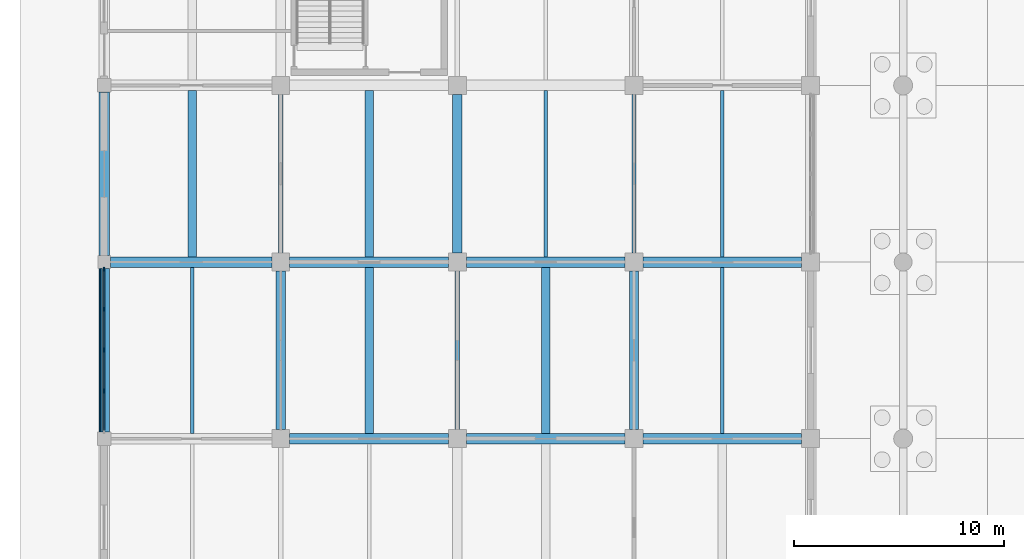
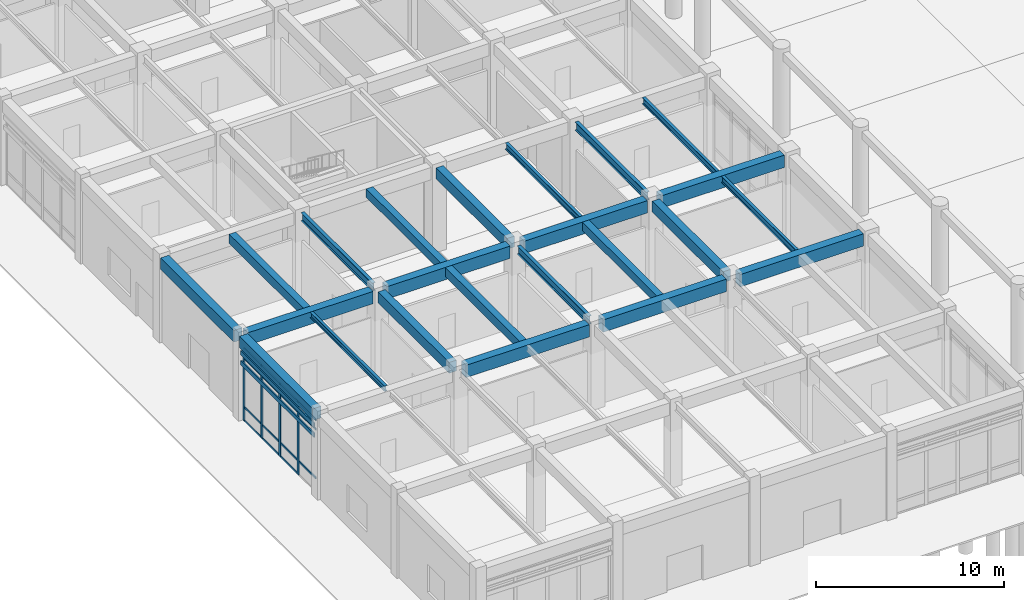
# One storey, part 5 of 91: 23 beams, 21 members, 1 element without a shape of its own.
"""IFC4 building model written with IfcOpenShell, lengths in metres."""

from ifc_helpers import new_model, si_unit, direction, frame, origin, origin_2d, place, context, subcontext, project, spatial, rectangle, i_section, extrude, material, layer, layer_set, material_profile, profile_set, type_object, element, aggregate, save


model = new_model("IFC4")

# Units and contexts
model_context = context("Model", 3, precision=1e-05, world=origin(), true_north=direction((0.0, 1.0)))
body_context = subcontext(model_context, "Body", "Model", "MODEL_VIEW")
ifc_project = project(units=[si_unit("LENGTHUNIT", "METRE"), si_unit("AREAUNIT", "SQUARE_METRE"), si_unit("VOLUMEUNIT", "CUBIC_METRE"), si_unit("PLANEANGLEUNIT", "RADIAN"), si_unit("MASSUNIT", "GRAM", prefix="KILO")], contexts=[model_context])

# Site, building, storey
site_placement = place(None, origin())
site = spatial("IfcSite", under=ifc_project, at=site_placement, CompositionType="ELEMENT")
building_placement = place(site_placement, origin())
building = spatial("IfcBuilding", under=site, at=building_placement, Name="Porcellanite Civic Hall", CompositionType="ELEMENT")
storey_placement = place(building_placement, origin())
storey = spatial("IfcBuildingStorey", under=building, at=storey_placement, Name="L00", CompositionType="ELEMENT", Elevation=0.0)

# Beams
ifc_material_1 = material(Name="Concrete N50 (50 MPa)", Category="concrete")
ifc_material_profile_1 = material_profile(ifc_material_1, rectangle(XDim=0.39990234375, YDim=0.550048828125, at=origin_2d()), Name="RC-400x550")
ifc_profile_set_1 = profile_set([ifc_material_profile_1], Name="Concrete N50 (50 MPa)")
beam_type_1 = type_object("IfcBeamType", Name="BM-RC550", PredefinedType="JOIST", material=ifc_profile_set_1)
beam_1_placement = place(storey_placement, frame((12.60009765625, 25.449462890625, 5.22509765625), z_axis=(0.0, 1.0, 0.0), x_axis=(-1.0, 0.0, 0.0)))
element("IfcBeam", 1, at=beam_1_placement, inside=storey, type_object=beam_type_1, Name="Secondary joist L00 2-4", PredefinedType="JOIST", context=body_context, shape_type="SweptSolid", body=[
    extrude(rectangle(XDim=0.39990234375, YDim=0.550048828125, at=origin_2d()), origin(), (0.0, 0.0, 1.0), 7.901123046875),
])
beam_2_placement = place(storey_placement, frame((21.0, 17.049560546875, 5.22509765625), z_axis=(0.0, 1.0, 0.0), x_axis=(-1.0, 0.0, 0.0)))
element("IfcBeam", 2, at=beam_2_placement, inside=storey, type_object=beam_type_1, Name="Secondary joist L00 3-3", PredefinedType="JOIST", context=body_context, shape_type="SweptSolid", body=[
    extrude(rectangle(XDim=0.39990234375, YDim=0.550048828125, at=origin_2d()), origin(), (0.0, 0.0, 1.0), 7.90087890625),
])
ifc_material_2 = material(Name="Concrete N50 (50 MPa)", Category="concrete")
ifc_material_profile_2 = material_profile(ifc_material_2, rectangle(XDim=0.39990234375, YDim=0.60009765625, at=origin_2d()), Name="RC-400x600")
ifc_profile_set_2 = profile_set([ifc_material_profile_2], Name="Concrete N50 (50 MPa)")
beam_type_2 = type_object("IfcBeamType", Name="BM-RC600", PredefinedType="JOIST", material=ifc_profile_set_2)
beam_3_placement = place(storey_placement, frame((4.199951171875, 25.449462890625, 5.199951171875), z_axis=(0.0, 1.0, 0.0), x_axis=(-1.0, 0.0, 0.0)))
element("IfcBeam", 3, at=beam_3_placement, inside=storey, type_object=beam_type_2, Name="Secondary joist L00 1-4", PredefinedType="JOIST", context=body_context, shape_type="SweptSolid", body=[
    extrude(rectangle(XDim=0.39990234375, YDim=0.60009765625, at=origin_2d()), origin(), (0.0, 0.0, 1.0), 7.901123046875),
])
beam_4_placement = place(storey_placement, frame((12.60009765625, 17.049560546875, 5.199951171875), z_axis=(0.0, 1.0, 0.0), x_axis=(-1.0, 0.0, 0.0)))
element("IfcBeam", 4, at=beam_4_placement, inside=storey, type_object=beam_type_2, Name="Secondary joist L00 2-3", PredefinedType="JOIST", context=body_context, shape_type="SweptSolid", body=[
    extrude(rectangle(XDim=0.39990234375, YDim=0.60009765625, at=origin_2d()), origin(), (0.0, 0.0, 1.0), 7.90087890625),
])
ifc_material_3 = material(Name="Concrete N50 (50 MPa)", Category="concrete")
ifc_material_profile_3 = material_profile(ifc_material_3, rectangle(XDim=0.449951171875, YDim=0.699951171875, at=origin_2d()), Name="RC-450x700")
ifc_profile_set_3 = profile_set([ifc_material_profile_3], Name="Concrete N50 (50 MPa)")
beam_type_3 = type_object("IfcBeamType", Name="BM-RC700", PredefinedType="BEAM", material=ifc_profile_set_3)
beam_5_placement = place(storey_placement, frame((8.39990234375, 17.224609375, 5.14990234375), z_axis=(0.0, 1.0, 0.0), x_axis=(-1.0, 0.0, 0.0)))
element("IfcBeam", 5, at=beam_5_placement, inside=storey, type_object=beam_type_3, Name="Beam Y L00 2-3", PredefinedType="BEAM", context=body_context, shape_type="SweptSolid", body=[
    extrude(rectangle(XDim=0.449951171875, YDim=0.699951171875, at=origin_2d()), origin(), (0.0, 0.0, 1.0), 7.55078125),
])
beam_6_placement = place(storey_placement, frame((16.800048828125, 25.62451171875, 5.14990234375), z_axis=(0.0, 1.0, 0.0), x_axis=(-1.0, 0.0, 0.0)))
element("IfcBeam", 6, at=beam_6_placement, inside=storey, type_object=beam_type_3, Name="Beam Y L00 3-4", PredefinedType="BEAM", context=body_context, shape_type="SweptSolid", body=[
    extrude(rectangle(XDim=0.449951171875, YDim=0.699951171875, at=origin_2d()), origin(), (0.0, 0.0, 1.0), 7.551025390625),
])
beam_7_placement = place(storey_placement, frame((25.199951171875, 17.224609375, 5.14990234375), z_axis=(0.0, 1.0, 0.0), x_axis=(-1.0, 0.0, 0.0)))
element("IfcBeam", 7, at=beam_7_placement, inside=storey, type_object=beam_type_3, Name="Beam Y L00 4-3", PredefinedType="BEAM", context=body_context, shape_type="SweptSolid", body=[
    extrude(rectangle(XDim=0.449951171875, YDim=0.699951171875, at=origin_2d()), origin(), (0.0, 0.0, 1.0), 7.55078125),
])
ifc_material_4 = material(Name="Concrete N50 (50 MPa)", Category="concrete")
ifc_material_profile_4 = material_profile(ifc_material_4, rectangle(XDim=0.5, YDim=0.75, at=origin_2d()), Name="RC-500x750")
ifc_profile_set_4 = profile_set([ifc_material_profile_4], Name="Concrete N50 (50 MPa)")
beam_type_4 = type_object("IfcBeamType", Name="BM-RC750", PredefinedType="SPANDREL", material=ifc_profile_set_4)
for number, where, z_axis, x_axis, name in (
    (8, (0.0, 17.12451171875, 5.125), (0.0, 1.0, 0.0), (-1.0, 0.0, 0.0), "Beam Y L00 1-3"),
    (9, (0.0, 25.49951171875, 5.125), (0.0, 1.0, 0.0), (-1.0, 0.0, 0.0), "Beam Y L00 1-4"),
):
    element("IfcBeam", number, at=place(storey_placement, frame(where, z_axis=z_axis, x_axis=x_axis)), inside=storey, type_object=beam_type_4, Name=name, PredefinedType="SPANDREL", context=body_context, shape_type="SweptSolid", body=[
        extrude(rectangle(XDim=0.5, YDim=0.75, at=origin_2d()), origin(), (0.0, 0.0, 1.0), 7.77587890625),
    ])
ifc_material_5 = material(Name="Concrete N50 (50 MPa)", Category="concrete")
ifc_material_profile_5 = material_profile(ifc_material_5, rectangle(XDim=0.5, YDim=0.800048828125, at=origin_2d()), Name="RC-500x800")
ifc_profile_set_5 = profile_set([ifc_material_profile_5], Name="Concrete N50 (50 MPa)")
beam_type_5 = type_object("IfcBeamType", Name="BM-RC800", PredefinedType="BEAM", material=ifc_profile_set_5)
beam_8_placement = place(storey_placement, frame((0.299560546875, 25.199951171875, 5.10009765625), z_axis=(1.0, 0.0, 0.0), x_axis=(0.0, 1.0, 0.0)))
element("IfcBeam", 10, at=beam_8_placement, inside=storey, type_object=beam_type_5, Name="Beam X L00 1-4", PredefinedType="BEAM", context=body_context, shape_type="SweptSolid", body=[
    extrude(rectangle(XDim=0.5, YDim=0.800048828125, at=origin_2d()), origin(), (0.0, 0.0, 1.0), 7.676025390625),
])
for number, where, z_axis, x_axis, name in (
    (11, (8.824462890625, 16.800048828125, 5.10009765625), (1.0, 0.0, 0.0), (0.0, 1.0, 0.0), "Beam X L00 2-3"),
    (12, (8.824462890625, 25.199951171875, 5.10009765625), (1.0, 0.0, 0.0), (0.0, 1.0, 0.0), "Beam X L00 2-4"),
):
    element("IfcBeam", number, at=place(storey_placement, frame(where, z_axis=z_axis, x_axis=x_axis)), inside=storey, type_object=beam_type_5, Name=name, PredefinedType="BEAM", context=body_context, shape_type="SweptSolid", body=[
        extrude(rectangle(XDim=0.5, YDim=0.800048828125, at=origin_2d()), origin(), (0.0, 0.0, 1.0), 7.551025390625),
    ])
for number, where, z_axis, x_axis, name in (
    (13, (17.224609375, 16.800048828125, 5.10009765625), (1.0, 0.0, 0.0), (0.0, 1.0, 0.0), "Beam X L00 3-3"),
    (14, (17.224609375, 25.199951171875, 5.10009765625), (1.0, 0.0, 0.0), (0.0, 1.0, 0.0), "Beam X L00 3-4"),
):
    element("IfcBeam", number, at=place(storey_placement, frame(where, z_axis=z_axis, x_axis=x_axis)), inside=storey, type_object=beam_type_5, Name=name, PredefinedType="BEAM", context=body_context, shape_type="SweptSolid", body=[
        extrude(rectangle(XDim=0.5, YDim=0.800048828125, at=origin_2d()), origin(), (0.0, 0.0, 1.0), 7.55078125),
    ])
for number, where, z_axis, x_axis, name in (
    (15, (25.62451171875, 16.800048828125, 5.10009765625), (1.0, 0.0, 0.0), (0.0, 1.0, 0.0), "Beam X L00 4-3"),
    (16, (25.62451171875, 25.199951171875, 5.10009765625), (1.0, 0.0, 0.0), (0.0, 1.0, 0.0), "Beam X L00 4-4"),
):
    element("IfcBeam", number, at=place(storey_placement, frame(where, z_axis=z_axis, x_axis=x_axis)), inside=storey, type_object=beam_type_5, Name=name, PredefinedType="BEAM", context=body_context, shape_type="SweptSolid", body=[
        extrude(rectangle(XDim=0.5, YDim=0.800048828125, at=origin_2d()), origin(), (0.0, 0.0, 1.0), 7.551025390625),
    ])

# Curtain wall, members
ifc_material_6 = material(Name="Anodised aluminium and solar laminated glass", Category="aluminium")
ifc_layer = layer(ifc_material_6, 0.179931640625)
ifc_layer_set = layer_set([ifc_layer], Name="Anodised aluminium and solar laminated glass")
curtain_wall_type = type_object("IfcCurtainWallType", Name="CW-SYS05", PredefinedType="NOTDEFINED", material=ifc_layer_set)
curtain_wall_placement = place(storey_placement, origin())
curtain_wall = element("IfcCurtainWall", 17, at=curtain_wall_placement, inside=storey, type_object=curtain_wall_type, Name="Curtain wall CW-002", PredefinedType="NOTDEFINED")
ifc_material_7 = material(Name="Anodised aluminium 6063-T6", Category="aluminium")
ifc_material_profile_6 = material_profile(ifc_material_7, rectangle(XDim=0.070068359375, YDim=0.199951171875, at=origin_2d()), Name="AL-70x200")
ifc_profile_set_6 = profile_set([ifc_material_profile_6], Name="Anodised aluminium 6063-T6")
member_type_1 = type_object("IfcMemberType", Name="CWM-05", PredefinedType="MULLION", material=ifc_profile_set_6)
member_1_placement = place(storey_placement, frame((0.0, 19.0693359375, 0.0), z_axis=(0.0, 0.0, 1.0), x_axis=(-1.0, 0.0, 0.0)))
member_1 = element("IfcMember", 18, at=member_1_placement, type_object=member_type_1, Name="CW-002 mullion 2", PredefinedType="MULLION", context=body_context, shape_type="SweptSolid", body=[
    extrude(rectangle(XDim=0.070068359375, YDim=0.199951171875, at=origin_2d()), origin(), (0.0, 0.0, 1.0), 4.699951171875),
])
member_2_placement = place(storey_placement, frame((0.0, 21.012451171875, 0.0), z_axis=(0.0, 0.0, 1.0), x_axis=(-1.0, 0.0, 0.0)))
member_2 = element("IfcMember", 19, at=member_2_placement, type_object=member_type_1, Name="CW-002 mullion 3", PredefinedType="MULLION", context=body_context, shape_type="SweptSolid", body=[
    extrude(rectangle(XDim=0.070068359375, YDim=0.199951171875, at=origin_2d()), origin(), (0.0, 0.0, 1.0), 4.699951171875),
])
member_3_placement = place(storey_placement, frame((0.0, 22.955810546875, 0.0), z_axis=(0.0, 0.0, 1.0), x_axis=(-1.0, 0.0, 0.0)))
member_3 = element("IfcMember", 20, at=member_3_placement, type_object=member_type_1, Name="CW-002 mullion 4", PredefinedType="MULLION", context=body_context, shape_type="SweptSolid", body=[
    extrude(rectangle(XDim=0.070068359375, YDim=0.199951171875, at=origin_2d()), origin(), (0.0, 0.0, 1.0), 4.699951171875),
])
member_4_placement = place(storey_placement, frame((0.0, 24.864013671875, 0.0), z_axis=(0.0, 0.0, 1.0), x_axis=(-1.0, 0.0, 0.0)))
member_4 = element("IfcMember", 21, at=member_4_placement, type_object=member_type_1, Name="CW-002 mullion 5", PredefinedType="MULLION", context=body_context, shape_type="SweptSolid", body=[
    extrude(rectangle(XDim=0.070068359375, YDim=0.199951171875, at=origin_2d()), origin(), (0.0, 0.0, 1.0), 4.699951171875),
])
ifc_material_8 = material(Name="Anodised aluminium 6063-T6", Category="aluminium")
ifc_material_profile_7 = material_profile(ifc_material_8, rectangle(XDim=0.06005859375, YDim=0.1298828125, at=origin_2d()), Name="AL-60x130")
ifc_profile_set_7 = profile_set([ifc_material_profile_7], Name="Anodised aluminium 6063-T6")
member_type_2 = type_object("IfcMemberType", Name="CWT-03", PredefinedType="USERDEFINED", material=ifc_profile_set_7)
member_5_placement = place(storey_placement, frame((0.0, 17.196044921875, 0.89990234375), z_axis=(0.0, 1.0, 0.0), x_axis=(-1.0, 0.0, 0.0)))
member_5 = element("IfcMember", 22, at=member_5_placement, type_object=member_type_2, Name="CW-002 transom 1.2", ObjectType="TRANSOM", PredefinedType="USERDEFINED", context=body_context, shape_type="SweptSolid", body=[
    extrude(rectangle(XDim=0.06005859375, YDim=0.1298828125, at=origin_2d()), origin(), (0.0, 0.0, 1.0), 1.838134765625),
])
member_6_placement = place(storey_placement, frame((0.0, 17.196044921875, 4.050048828125), z_axis=(0.0, 1.0, 0.0), x_axis=(-1.0, 0.0, 0.0)))
member_6 = element("IfcMember", 23, at=member_6_placement, type_object=member_type_2, Name="CW-002 transom 1.3", ObjectType="TRANSOM", PredefinedType="USERDEFINED", context=body_context, shape_type="SweptSolid", body=[
    extrude(rectangle(XDim=0.06005859375, YDim=0.1298828125, at=origin_2d()), origin(), (0.0, 0.0, 1.0), 1.838134765625),
])
member_7_placement = place(storey_placement, frame((0.0, 17.196044921875, 4.669921875), z_axis=(0.0, 1.0, 0.0), x_axis=(-1.0, 0.0, 0.0)))
member_7 = element("IfcMember", 24, at=member_7_placement, type_object=member_type_2, Name="CW-002 transom 1.4", ObjectType="TRANSOM", PredefinedType="USERDEFINED", context=body_context, shape_type="SweptSolid", body=[
    extrude(rectangle(XDim=0.06005859375, YDim=0.1298828125, at=origin_2d()), origin(), (0.0, 0.0, 1.0), 1.838134765625),
])
member_8_placement = place(storey_placement, frame((0.0, 19.104248046875, 0.030029296875), z_axis=(0.0, 1.0, 0.0), x_axis=(-1.0, 0.0, 0.0)))
member_8 = element("IfcMember", 25, at=member_8_placement, type_object=member_type_2, Name="CW-002 transom 2.1", ObjectType="TRANSOM", PredefinedType="USERDEFINED", context=body_context, shape_type="SweptSolid", body=[
    extrude(rectangle(XDim=0.06005859375, YDim=0.1298828125, at=origin_2d()), origin(), (0.0, 0.0, 1.0), 1.873291015625),
])
member_9_placement = place(storey_placement, frame((0.0, 19.104248046875, 0.89990234375), z_axis=(0.0, 1.0, 0.0), x_axis=(-1.0, 0.0, 0.0)))
member_9 = element("IfcMember", 26, at=member_9_placement, type_object=member_type_2, Name="CW-002 transom 2.2", ObjectType="TRANSOM", PredefinedType="USERDEFINED", context=body_context, shape_type="SweptSolid", body=[
    extrude(rectangle(XDim=0.06005859375, YDim=0.1298828125, at=origin_2d()), origin(), (0.0, 0.0, 1.0), 1.873291015625),
])
member_10_placement = place(storey_placement, frame((0.0, 19.104248046875, 4.050048828125), z_axis=(0.0, 1.0, 0.0), x_axis=(-1.0, 0.0, 0.0)))
member_10 = element("IfcMember", 27, at=member_10_placement, type_object=member_type_2, Name="CW-002 transom 2.3", ObjectType="TRANSOM", PredefinedType="USERDEFINED", context=body_context, shape_type="SweptSolid", body=[
    extrude(rectangle(XDim=0.06005859375, YDim=0.1298828125, at=origin_2d()), origin(), (0.0, 0.0, 1.0), 1.873291015625),
])
member_11_placement = place(storey_placement, frame((0.0, 19.104248046875, 4.669921875), z_axis=(0.0, 1.0, 0.0), x_axis=(-1.0, 0.0, 0.0)))
member_11 = element("IfcMember", 28, at=member_11_placement, type_object=member_type_2, Name="CW-002 transom 2.4", ObjectType="TRANSOM", PredefinedType="USERDEFINED", context=body_context, shape_type="SweptSolid", body=[
    extrude(rectangle(XDim=0.06005859375, YDim=0.1298828125, at=origin_2d()), origin(), (0.0, 0.0, 1.0), 1.873291015625),
])
member_12_placement = place(storey_placement, frame((0.0, 21.047607421875, 0.030029296875), z_axis=(0.0, 1.0, 0.0), x_axis=(-1.0, 0.0, 0.0)))
member_12 = element("IfcMember", 29, at=member_12_placement, type_object=member_type_2, Name="CW-002 transom 3.1", ObjectType="TRANSOM", PredefinedType="USERDEFINED", context=body_context, shape_type="SweptSolid", body=[
    extrude(rectangle(XDim=0.06005859375, YDim=0.1298828125, at=origin_2d()), origin(), (0.0, 0.0, 1.0), 1.873046875),
])
member_13_placement = place(storey_placement, frame((0.0, 21.047607421875, 0.89990234375), z_axis=(0.0, 1.0, 0.0), x_axis=(-1.0, 0.0, 0.0)))
member_13 = element("IfcMember", 30, at=member_13_placement, type_object=member_type_2, Name="CW-002 transom 3.2", ObjectType="TRANSOM", PredefinedType="USERDEFINED", context=body_context, shape_type="SweptSolid", body=[
    extrude(rectangle(XDim=0.06005859375, YDim=0.1298828125, at=origin_2d()), origin(), (0.0, 0.0, 1.0), 1.873046875),
])
member_14_placement = place(storey_placement, frame((0.0, 21.047607421875, 4.050048828125), z_axis=(0.0, 1.0, 0.0), x_axis=(-1.0, 0.0, 0.0)))
member_14 = element("IfcMember", 31, at=member_14_placement, type_object=member_type_2, Name="CW-002 transom 3.3", ObjectType="TRANSOM", PredefinedType="USERDEFINED", context=body_context, shape_type="SweptSolid", body=[
    extrude(rectangle(XDim=0.06005859375, YDim=0.1298828125, at=origin_2d()), origin(), (0.0, 0.0, 1.0), 1.873046875),
])
member_15_placement = place(storey_placement, frame((0.0, 21.047607421875, 4.669921875), z_axis=(0.0, 1.0, 0.0), x_axis=(-1.0, 0.0, 0.0)))
member_15 = element("IfcMember", 32, at=member_15_placement, type_object=member_type_2, Name="CW-002 transom 3.4", ObjectType="TRANSOM", PredefinedType="USERDEFINED", context=body_context, shape_type="SweptSolid", body=[
    extrude(rectangle(XDim=0.06005859375, YDim=0.1298828125, at=origin_2d()), origin(), (0.0, 0.0, 1.0), 1.873046875),
])
member_16_placement = place(storey_placement, frame((0.0, 22.99072265625, 0.030029296875), z_axis=(0.0, 1.0, 0.0), x_axis=(-1.0, 0.0, 0.0)))
member_16 = element("IfcMember", 33, at=member_16_placement, type_object=member_type_2, Name="CW-002 transom 4.1", ObjectType="TRANSOM", PredefinedType="USERDEFINED", context=body_context, shape_type="SweptSolid", body=[
    extrude(rectangle(XDim=0.06005859375, YDim=0.1298828125, at=origin_2d()), origin(), (0.0, 0.0, 1.0), 1.83837890625),
])
member_17_placement = place(storey_placement, frame((0.0, 22.99072265625, 0.89990234375), z_axis=(0.0, 1.0, 0.0), x_axis=(-1.0, 0.0, 0.0)))
member_17 = element("IfcMember", 34, at=member_17_placement, type_object=member_type_2, Name="CW-002 transom 4.2", ObjectType="TRANSOM", PredefinedType="USERDEFINED", context=body_context, shape_type="SweptSolid", body=[
    extrude(rectangle(XDim=0.06005859375, YDim=0.1298828125, at=origin_2d()), origin(), (0.0, 0.0, 1.0), 1.83837890625),
])
member_18_placement = place(storey_placement, frame((0.0, 22.99072265625, 4.050048828125), z_axis=(0.0, 1.0, 0.0), x_axis=(-1.0, 0.0, 0.0)))
member_18 = element("IfcMember", 35, at=member_18_placement, type_object=member_type_2, Name="CW-002 transom 4.3", ObjectType="TRANSOM", PredefinedType="USERDEFINED", context=body_context, shape_type="SweptSolid", body=[
    extrude(rectangle(XDim=0.06005859375, YDim=0.1298828125, at=origin_2d()), origin(), (0.0, 0.0, 1.0), 1.83837890625),
])
member_19_placement = place(storey_placement, frame((0.0, 22.99072265625, 4.669921875), z_axis=(0.0, 1.0, 0.0), x_axis=(-1.0, 0.0, 0.0)))
member_19 = element("IfcMember", 36, at=member_19_placement, type_object=member_type_2, Name="CW-002 transom 4.4", ObjectType="TRANSOM", PredefinedType="USERDEFINED", context=body_context, shape_type="SweptSolid", body=[
    extrude(rectangle(XDim=0.06005859375, YDim=0.1298828125, at=origin_2d()), origin(), (0.0, 0.0, 1.0), 1.83837890625),
])
aggregate(curtain_wall, [member_1, member_2, member_3, member_4, member_5, member_6, member_7, member_8, member_9, member_10, member_11, member_12, member_13, member_14, member_15, member_16, member_17, member_18, member_19])

# Beams
ifc_material_9 = material(Name="Steel Grade 350", Category="steel")
ifc_material_profile_8 = material_profile(ifc_material_9, i_section(OverallWidth=0.1708984375, OverallDepth=0.35595703125, WebThickness=0.00732421875, FlangeThickness=0.011474609375, FilletRadius=0.011474609375, at=origin_2d()), Name="360UB50.7")
ifc_profile_set_8 = profile_set([ifc_material_profile_8], Name="Steel Grade 350")
beam_type_6 = type_object("IfcBeamType", Name="JST-360UB51", PredefinedType="JOIST", material=ifc_profile_set_8)
beam_9_placement = place(storey_placement, frame((4.199951171875, 17.049560546875, 5.322021484375), z_axis=(0.0, 1.0, 0.0), x_axis=(-1.0, 0.0, 0.0)))
element("IfcBeam", 37, at=beam_9_placement, inside=storey, type_object=beam_type_6, Name="Secondary joist L00 1-3", PredefinedType="JOIST", context=body_context, shape_type="SweptSolid", body=[
    extrude(i_section(OverallWidth=0.1708984375, OverallDepth=0.35595703125, WebThickness=0.00732421875, FlangeThickness=0.011474609375, FilletRadius=0.011474609375, at=origin_2d()), origin(), (0.0, 0.0, 1.0), 7.90087890625),
])
ifc_material_10 = material(Name="Steel Grade 350", Category="steel")
ifc_material_profile_9 = material_profile(ifc_material_10, i_section(OverallWidth=0.177978515625, OverallDepth=0.403076171875, WebThickness=0.007568359375, FlangeThickness=0.010986328125, FilletRadius=0.011474609375, at=origin_2d()), Name="410UB53.7")
ifc_profile_set_9 = profile_set([ifc_material_profile_9], Name="Steel Grade 350")
beam_type_7 = type_object("IfcBeamType", Name="JST-410UB54", PredefinedType="JOIST", material=ifc_profile_set_9)
beam_10_placement = place(storey_placement, frame((29.39990234375, 25.449462890625, 5.298583984375), z_axis=(0.0, 1.0, 0.0), x_axis=(-1.0, 0.0, 0.0)))
element("IfcBeam", 38, at=beam_10_placement, inside=storey, type_object=beam_type_7, Name="Secondary joist L00 4-4", PredefinedType="JOIST", context=body_context, shape_type="SweptSolid", body=[
    extrude(i_section(OverallWidth=0.177978515625, OverallDepth=0.403076171875, WebThickness=0.007568359375, FlangeThickness=0.010986328125, FilletRadius=0.011474609375, at=origin_2d()), origin(), (0.0, 0.0, 1.0), 7.901123046875),
])
ifc_material_11 = material(Name="Steel Grade 350", Category="steel")
ifc_material_profile_10 = material_profile(ifc_material_11, i_section(OverallWidth=0.177978515625, OverallDepth=0.406005859375, WebThickness=0.0078125, FlangeThickness=0.0126953125, FilletRadius=0.011474609375, at=origin_2d()), Name="410UB59.7")
ifc_profile_set_10 = profile_set([ifc_material_profile_10], Name="Steel Grade 350")
beam_type_8 = type_object("IfcBeamType", Name="JST-410UB60", PredefinedType="JOIST", material=ifc_profile_set_10)
beam_11_placement = place(storey_placement, frame((21.0, 25.449462890625, 5.297119140625), z_axis=(0.0, 1.0, 0.0), x_axis=(-1.0, 0.0, 0.0)))
element("IfcBeam", 39, at=beam_11_placement, inside=storey, type_object=beam_type_8, Name="Secondary joist L00 3-4", PredefinedType="JOIST", context=body_context, shape_type="SweptSolid", body=[
    extrude(i_section(OverallWidth=0.177978515625, OverallDepth=0.406005859375, WebThickness=0.0078125, FlangeThickness=0.0126953125, FilletRadius=0.011474609375, at=origin_2d()), origin(), (0.0, 0.0, 1.0), 7.901123046875),
])
beam_12_placement = place(storey_placement, frame((29.39990234375, 17.049560546875, 5.297119140625), z_axis=(0.0, 1.0, 0.0), x_axis=(-1.0, 0.0, 0.0)))
element("IfcBeam", 40, at=beam_12_placement, inside=storey, type_object=beam_type_8, Name="Secondary joist L00 4-3", PredefinedType="JOIST", context=body_context, shape_type="SweptSolid", body=[
    extrude(i_section(OverallWidth=0.177978515625, OverallDepth=0.406005859375, WebThickness=0.0078125, FlangeThickness=0.0126953125, FilletRadius=0.011474609375, at=origin_2d()), origin(), (0.0, 0.0, 1.0), 7.90087890625),
])

# Members
ifc_material_12 = material(Name="Fluoropolymer bauxite-red aluminium 6063-T6", Category="aluminium")
ifc_material_profile_11 = material_profile(ifc_material_12, rectangle(XDim=0.070068359375, YDim=0.280029296875, at=origin_2d()), Name="AL-70x280")
ifc_profile_set_11 = profile_set([ifc_material_profile_11], Name="Fluoropolymer bauxite-red aluminium 6063-T6")
member_type_3 = type_object("IfcMemberType", Name="LV-BLD05", PredefinedType="USERDEFINED", material=ifc_profile_set_11)
for number, where, z_axis, x_axis, name in (
    (41, (-0.136962890625, 17.12451171875, 4.39990234375), (0.0, 1.0, 0.0), (-1.0, 0.0, 0.0), "Cyclone sunshade louvre L00 W 0-2 1"),
    (42, (-0.136962890625, 17.12451171875, 3.75), (0.0, 1.0, 0.0), (-1.0, 0.0, 0.0), "Cyclone sunshade louvre L00 W 0-2 2"),
):
    element("IfcMember", number, at=place(storey_placement, frame(where, z_axis=z_axis, x_axis=x_axis)), inside=storey, type_object=member_type_3, Name=name, ObjectType="LOUVRE BLADE", PredefinedType="USERDEFINED", context=body_context, shape_type="SweptSolid", body=[
        extrude(rectangle(XDim=0.070068359375, YDim=0.280029296875, at=origin_2d()), origin(), (0.0, 0.0, 1.0), 7.77587890625),
    ])

# Beams
ifc_material_13 = material(Name="Steel Grade 350", Category="steel")
ifc_material_profile_12 = material_profile(ifc_material_13, i_section(OverallWidth=0.208984375, OverallDepth=0.528076171875, WebThickness=0.009521484375, FlangeThickness=0.01318359375, FilletRadius=0.013916015625, at=origin_2d()), Name="530UB82.0")
ifc_profile_set_12 = profile_set([ifc_material_profile_12], Name="Steel Grade 350")
beam_type_9 = type_object("IfcBeamType", Name="RAF-530UB82", PredefinedType="BEAM", material=ifc_profile_set_12)
beam_13_placement = place(storey_placement, frame((8.39990234375, 25.62451171875, 5.236083984375), z_axis=(0.0, 1.0, 0.0), x_axis=(-1.0, 0.0, 0.0)))
element("IfcBeam", 43, at=beam_13_placement, inside=storey, type_object=beam_type_9, Name="Beam Y L00 2-4", PredefinedType="BEAM", context=body_context, shape_type="SweptSolid", body=[
    extrude(i_section(OverallWidth=0.208984375, OverallDepth=0.528076171875, WebThickness=0.009521484375, FlangeThickness=0.01318359375, FilletRadius=0.013916015625, at=origin_2d()), origin(), (0.0, 0.0, 1.0), 7.551025390625),
])
beam_14_placement = place(storey_placement, frame((16.800048828125, 17.224609375, 5.236083984375), z_axis=(0.0, 1.0, 0.0), x_axis=(-1.0, 0.0, 0.0)))
element("IfcBeam", 44, at=beam_14_placement, inside=storey, type_object=beam_type_9, Name="Beam Y L00 3-3", PredefinedType="BEAM", context=body_context, shape_type="SweptSolid", body=[
    extrude(i_section(OverallWidth=0.208984375, OverallDepth=0.528076171875, WebThickness=0.009521484375, FlangeThickness=0.01318359375, FilletRadius=0.013916015625, at=origin_2d()), origin(), (0.0, 0.0, 1.0), 7.55078125),
])
beam_15_placement = place(storey_placement, frame((25.199951171875, 25.62451171875, 5.236083984375), z_axis=(0.0, 1.0, 0.0), x_axis=(-1.0, 0.0, 0.0)))
element("IfcBeam", 45, at=beam_15_placement, inside=storey, type_object=beam_type_9, Name="Beam Y L00 4-4", PredefinedType="BEAM", context=body_context, shape_type="SweptSolid", body=[
    extrude(i_section(OverallWidth=0.208984375, OverallDepth=0.528076171875, WebThickness=0.009521484375, FlangeThickness=0.01318359375, FilletRadius=0.013916015625, at=origin_2d()), origin(), (0.0, 0.0, 1.0), 7.551025390625),
])

save(model, "model.ifc")
